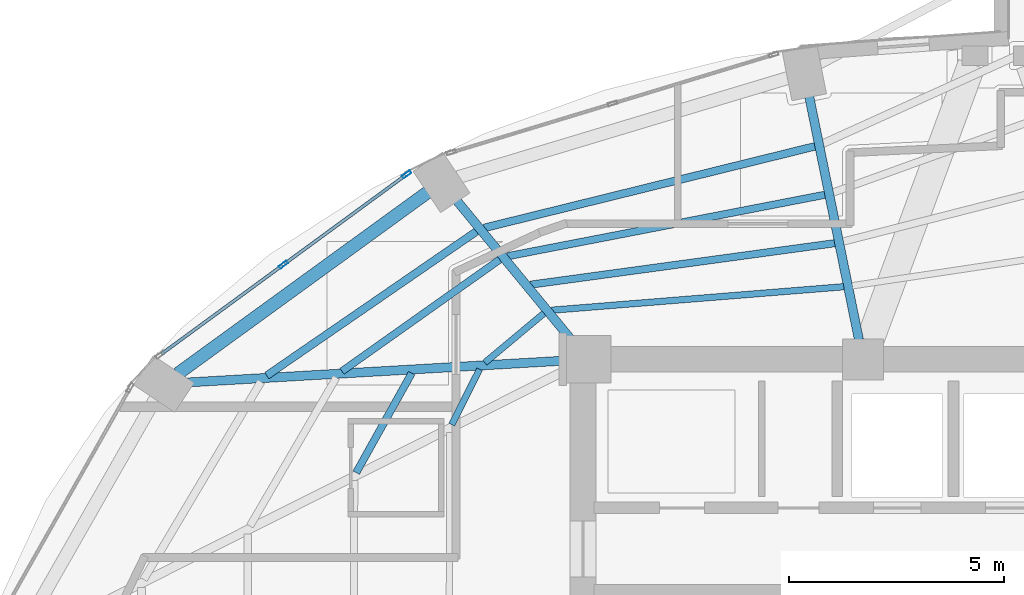
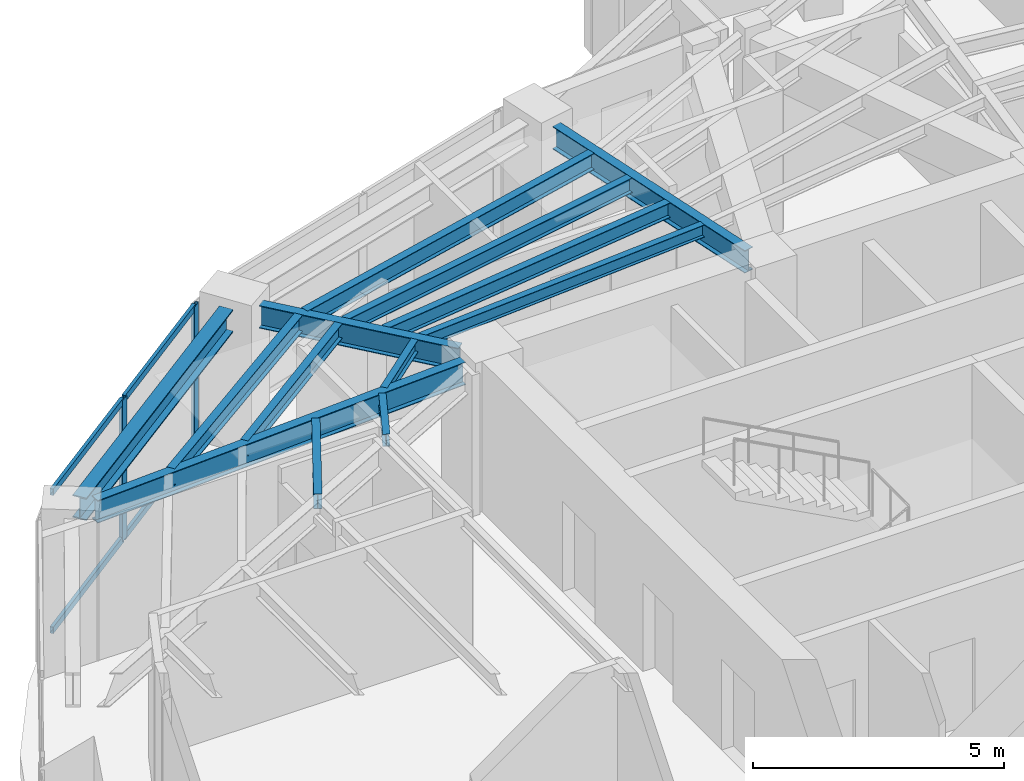
# One storey, part 7 of 20: 13 beams, 6 members, 1 element without a shape of its own.
"""IFC4 building model written with IfcOpenShell, lengths in metres."""

from ifc_helpers import new_model, si_unit, direction, frame, origin, origin_2d, place, context, subcontext, project, spatial, hollow_rectangle, i_section, extrude, material, layer, layer_set, material_profile, profile_set, type_object, element, aggregate, save


model = new_model("IFC4")

# Units and contexts
model_context = context("Model", 3, precision=1e-05, world=origin(), true_north=direction((0.0, 1.0)))
body_context = subcontext(model_context, "Body", "Model", "MODEL_VIEW")
ifc_project = project(units=[si_unit("LENGTHUNIT", "METRE"), si_unit("AREAUNIT", "SQUARE_METRE"), si_unit("VOLUMEUNIT", "CUBIC_METRE"), si_unit("PLANEANGLEUNIT", "RADIAN"), si_unit("MASSUNIT", "GRAM", prefix="KILO")], contexts=[model_context])

# Site, building, storey
site_placement = place(None, origin())
site = spatial("IfcSite", under=ifc_project, at=site_placement, CompositionType="ELEMENT")
building_placement = place(site_placement, origin())
building = spatial("IfcBuilding", under=site, at=building_placement, Name="Lazwardi Medical Tower", CompositionType="ELEMENT")
storey_placement = place(building_placement, frame((0.0, 0.0, 138.2880859375)))
storey = spatial("IfcBuildingStorey", under=building, at=storey_placement, Name="L35", CompositionType="ELEMENT", Elevation=138.2880859375)

# Beams
ifc_material_1 = material(Name="Steel S355", Category="steel")
ifc_material_profile_1 = material_profile(ifc_material_1, i_section(OverallWidth=0.300048828125, OverallDepth=0.550048828125, WebThickness=0.014892578125, FlangeThickness=0.029052734375, at=origin_2d()), Name="HEB 550")
ifc_profile_set_1 = profile_set([ifc_material_profile_1], Name="Steel S355")
beam_type_1 = type_object("IfcBeamType", Name="BM-RB-Z3", PredefinedType="BEAM", material=ifc_profile_set_1)
beam_1_placement = place(storey_placement, frame((22.689697265625, 39.479248046875, 3.15283203125), z_axis=(-0.809127570774, -0.587633026824, 0.0), x_axis=(0.587633026824, -0.809127570774, 0.0)))
element("IfcBeam", 1, at=beam_1_placement, inside=storey, type_object=beam_type_1, Name="Ring beam RB-04 B10 L35", PredefinedType="BEAM", context=body_context, shape_type="SweptSolid", body=[
    extrude(i_section(OverallWidth=0.300048828125, OverallDepth=0.550048828125, WebThickness=0.014892578125, FlangeThickness=0.029052734375, at=origin_2d()), origin(), (0.0, 0.0, 1.0), 7.170166015625),
])
ifc_material_profile_2 = material_profile(ifc_material_1, i_section(OverallWidth=0.2099609375, OverallDepth=0.550048828125, WebThickness=0.010986328125, FlangeThickness=0.01708984375, at=origin_2d()), Name="IPE 550")
ifc_profile_set_2 = profile_set([ifc_material_profile_2], Name="Steel S355")
beam_type_2 = type_object("IfcBeamType", Name="BM-RG-W2", PredefinedType="BEAM", material=ifc_profile_set_2)
beam_2_placement = place(storey_placement, frame((31.552001953125, 41.7001953125, 3.15283203125), z_axis=(0.200429485343, -0.979708130723, 0.0), x_axis=(0.979708130723, 0.200429485343, 0.0)))
element("IfcBeam", 2, at=beam_2_placement, inside=storey, type_object=beam_type_2, Name="Radial girder RG-03 R09 L35", PredefinedType="BEAM", context=body_context, shape_type="SweptSolid", body=[
    extrude(i_section(OverallWidth=0.2099609375, OverallDepth=0.550048828125, WebThickness=0.010986328125, FlangeThickness=0.01708984375, at=origin_2d()), origin(), (0.0, 0.0, 1.0), 5.766357421875),
])
beam_3_placement = place(storey_placement, frame((23.369384765625, 39.28173828125, 3.15283203125), z_axis=(0.635555639966, -0.772055068312, 0.0), x_axis=(0.772055068312, 0.635555639966, 0.0)))
element("IfcBeam", 3, at=beam_3_placement, inside=storey, type_object=beam_type_2, Name="Radial girder RG-03 R10 L35", PredefinedType="BEAM", context=body_context, shape_type="SweptSolid", body=[
    extrude(i_section(OverallWidth=0.2099609375, OverallDepth=0.550048828125, WebThickness=0.010986328125, FlangeThickness=0.01708984375, at=origin_2d()), origin(), (0.0, 0.0, 1.0), 4.233642578125),
])
beam_4_placement = place(storey_placement, frame((17.12353515625, 35.063232421875, 3.15283203125), z_axis=(0.998330154646, 0.057765927014, 0.0), x_axis=(-0.057765927014, 0.998330154646, 0.0)))
element("IfcBeam", 4, at=beam_4_placement, inside=storey, type_object=beam_type_2, Name="Radial girder RG-03 R11 L35", PredefinedType="BEAM", context=body_context, shape_type="SweptSolid", body=[
    extrude(i_section(OverallWidth=0.2099609375, OverallDepth=0.550048828125, WebThickness=0.010986328125, FlangeThickness=0.01708984375, at=origin_2d()), origin(), (0.0, 0.0, 1.0), 8.757080078125),
])
ifc_material_profile_3 = material_profile(ifc_material_1, i_section(OverallWidth=0.179931640625, OverallDepth=0.39990234375, WebThickness=0.008544921875, FlangeThickness=0.013427734375, at=origin_2d()), Name="IPE 400")
ifc_profile_set_3 = profile_set([ifc_material_profile_3], Name="Steel S355")
beam_type_3 = type_object("IfcBeamType", Name="BM-SJ-01", PredefinedType="JOIST", material=ifc_profile_set_3)
beam_5_placement = place(storey_placement, frame((31.68603515625, 40.54638671875, 3.22802734375), z_axis=(-0.970912648168, -0.239433977597, 0.0), x_axis=(0.239433977597, -0.970912648168, 0.0)))
element("IfcBeam", 5, at=beam_5_placement, inside=storey, type_object=beam_type_3, Name="Secondary joist SJ-01 R1 B09 L35", PredefinedType="JOIST", context=body_context, shape_type="SweptSolid", body=[
    extrude(i_section(OverallWidth=0.179931640625, OverallDepth=0.39990234375, WebThickness=0.008544921875, FlangeThickness=0.013427734375, at=origin_2d()), origin(), (0.0, 0.0, 1.0), 7.91162109375),
])
beam_6_placement = place(storey_placement, frame((23.8251953125, 38.5712890625, 3.22802734375), z_axis=(-0.823932256005, -0.566688307198, 0.0), x_axis=(0.566688307198, -0.823932256005, 0.0)))
element("IfcBeam", 6, at=beam_6_placement, inside=storey, type_object=beam_type_3, Name="Secondary joist SJ-01 R1 B10 L35", PredefinedType="JOIST", context=body_context, shape_type="SweptSolid", body=[
    extrude(i_section(OverallWidth=0.179931640625, OverallDepth=0.39990234375, WebThickness=0.008544921875, FlangeThickness=0.013427734375, at=origin_2d()), origin(), (0.0, 0.0, 1.0), 5.91162109375),
])
ifc_material_profile_4 = material_profile(ifc_material_1, i_section(OverallWidth=0.169921875, OverallDepth=0.360107421875, WebThickness=0.008056640625, FlangeThickness=0.0126953125, at=origin_2d()), Name="IPE 360")
ifc_profile_set_4 = profile_set([ifc_material_profile_4], Name="Steel S355")
beam_type_4 = type_object("IfcBeamType", Name="BM-SJ-02", PredefinedType="JOIST", material=ifc_profile_set_4)
beam_7_placement = place(storey_placement, frame((31.916015625, 39.42138671875, 3.247802734375), z_axis=(-0.981753035865, -0.190160396953, 0.0), x_axis=(0.190160396953, -0.981753035865, 0.0)))
element("IfcBeam", 7, at=beam_7_placement, inside=storey, type_object=beam_type_4, Name="Secondary joist SJ-02 R2 B09 L35", PredefinedType="JOIST", context=body_context, shape_type="SweptSolid", body=[
    extrude(i_section(OverallWidth=0.169921875, OverallDepth=0.360107421875, WebThickness=0.008056640625, FlangeThickness=0.0126953125, at=origin_2d()), origin(), (0.0, 0.0, 1.0), 7.50927734375),
])
beam_8_placement = place(storey_placement, frame((24.364013671875, 37.91650390625, 3.247802734375), z_axis=(-0.816108950798, -0.577898070967, 0.0), x_axis=(0.577898070967, -0.816108950798, 0.0)))
element("IfcBeam", 8, at=beam_8_placement, inside=storey, type_object=beam_type_4, Name="Secondary joist SJ-02 R2 B10 L35", PredefinedType="JOIST", context=body_context, shape_type="SweptSolid", body=[
    extrude(i_section(OverallWidth=0.169921875, OverallDepth=0.360107421875, WebThickness=0.008056640625, FlangeThickness=0.0126953125, at=origin_2d()), origin(), (0.0, 0.0, 1.0), 4.487060546875),
])
beam_9_placement = place(storey_placement, frame((32.146484375, 38.297119140625, 3.247802734375), z_axis=(-0.990832043476, -0.135099450852, 0.0), x_axis=(0.135099450852, -0.990832043476, 0.0)))
element("IfcBeam", 9, at=beam_9_placement, inside=storey, type_object=beam_type_4, Name="Secondary joist SJ-02 R3 B09 L35", PredefinedType="JOIST", context=body_context, shape_type="SweptSolid", body=[
    extrude(i_section(OverallWidth=0.169921875, OverallDepth=0.360107421875, WebThickness=0.008056640625, FlangeThickness=0.0126953125, at=origin_2d()), origin(), (0.0, 0.0, 1.0), 7.129150390625),
])
beam_10_placement = place(storey_placement, frame((22.3203125, 35.279296875, 3.247802734375), z_axis=(-0.487099444348, -0.87334651274, 0.0), x_axis=(0.87334651274, -0.487099444348, 0.0)))
element("IfcBeam", 10, at=beam_10_placement, inside=storey, type_object=beam_type_4, Name="Secondary joist SJ-02 R3 B11 L35", PredefinedType="JOIST", context=body_context, shape_type="SweptSolid", body=[
    extrude(i_section(OverallWidth=0.169921875, OverallDepth=0.360107421875, WebThickness=0.008056640625, FlangeThickness=0.0126953125, at=origin_2d()), origin(), (0.0, 0.0, 1.0), 2.64599609375),
])
ifc_material_profile_5 = material_profile(ifc_material_1, i_section(OverallWidth=0.14990234375, OverallDepth=0.300048828125, WebThickness=0.007080078125, FlangeThickness=0.0107421875, at=origin_2d()), Name="IPE 300")
ifc_profile_set_5 = profile_set([ifc_material_profile_5], Name="Steel S355")
beam_type_5 = type_object("IfcBeamType", Name="BM-SJ-03", PredefinedType="JOIST", material=ifc_profile_set_5)
beam_11_placement = place(storey_placement, frame((32.353759765625, 37.28564453125, 3.27783203125), z_axis=(-0.996785792338, -0.08011294647, 0.0), x_axis=(0.08011294647, -0.996785792338, 0.0)))
element("IfcBeam", 11, at=beam_11_placement, inside=storey, type_object=beam_type_5, Name="Secondary joist SJ-03 R4 B09 L35", PredefinedType="JOIST", context=body_context, shape_type="SweptSolid", body=[
    extrude(i_section(OverallWidth=0.14990234375, OverallDepth=0.300048828125, WebThickness=0.007080078125, FlangeThickness=0.0107421875, at=origin_2d()), origin(), (0.0, 0.0, 1.0), 6.80810546875),
])
beam_12_placement = place(storey_placement, frame((25.391357421875, 36.668212890625, 3.27783203125), z_axis=(-0.767437193893, -0.641124132621, 0.0), x_axis=(0.641124132621, -0.767437193893, 0.0)))
element("IfcBeam", 12, at=beam_12_placement, inside=storey, type_object=beam_type_5, Name="Secondary joist SJ-03 R4 B10 L35", PredefinedType="JOIST", context=body_context, shape_type="SweptSolid", body=[
    extrude(i_section(OverallWidth=0.14990234375, OverallDepth=0.300048828125, WebThickness=0.007080078125, FlangeThickness=0.0107421875, at=origin_2d()), origin(), (0.0, 0.0, 1.0), 1.787841796875),
])
beam_13_placement = place(storey_placement, frame((23.8974609375, 35.368408203125, 3.27783203125), z_axis=(-0.450406075332, -0.892823816497, 0.0), x_axis=(0.892823816497, -0.450406075332, 0.0)))
element("IfcBeam", 13, at=beam_13_placement, inside=storey, type_object=beam_type_5, Name="Secondary joist SJ-03 R4 B11 L35", PredefinedType="JOIST", context=body_context, shape_type="SweptSolid", body=[
    extrude(i_section(OverallWidth=0.14990234375, OverallDepth=0.300048828125, WebThickness=0.007080078125, FlangeThickness=0.0107421875, at=origin_2d()), origin(), (0.0, 0.0, 1.0), 1.4365234375),
])

# Curtain wall, members
ifc_material_2 = material(Name="Anodised bronze aluminium and solar control glazing", Category="aluminium")
ifc_layer = layer(ifc_material_2, 0.195068359375)
ifc_layer_set = layer_set([ifc_layer], Name="Anodised bronze aluminium and solar control glazing")
curtain_wall_type = type_object("IfcCurtainWallType", Name="CW-SYS-03", PredefinedType="NOTDEFINED", material=ifc_layer_set)
curtain_wall_placement = place(storey_placement, origin())
curtain_wall = element("IfcCurtainWall", 14, at=curtain_wall_placement, inside=storey, type_object=curtain_wall_type, Name="L35 Unitised bronze curtain wall CW-03", PredefinedType="NOTDEFINED")
ifc_material_3 = material(Name="Anodised bronze aluminium", Category="aluminium")
ifc_material_profile_6 = material_profile(ifc_material_3, hollow_rectangle(XDim=0.074951171875, YDim=0.219970703125, WallThickness=0.00390625, at=origin_2d()), Name="ALU-MULLION 220x75x4")
ifc_profile_set_6 = profile_set([ifc_material_profile_6], Name="Anodised bronze aluminium")
member_type_1 = type_object("IfcMemberType", Name="CW-MUL-01", PredefinedType="MULLION", material=ifc_profile_set_6)
member_1_placement = place(storey_placement, frame((22.204345703125, 39.894775390625, 0.0), z_axis=(0.0, 0.0, 1.0), x_axis=(0.590833862635, -0.806793249082, 0.0)))
member_1 = element("IfcMember", 15, at=member_1_placement, type_object=member_type_1, Name="CW-03 mullion 1", PredefinedType="MULLION", context=body_context, shape_type="SweptSolid", body=[
    extrude(hollow_rectangle(XDim=0.074951171875, YDim=0.219970703125, WallThickness=0.00390625, at=origin_2d()), origin(), (0.0, 0.0, 1.0), 3.427978515625),
])
member_2_placement = place(storey_placement, frame((19.34228515625, 37.798828125, 0.0), z_axis=(0.0, 0.0, 1.0), x_axis=(0.590833862635, -0.806793249082, 0.0)))
member_2 = element("IfcMember", 16, at=member_2_placement, type_object=member_type_1, Name="CW-03 mullion 2", PredefinedType="MULLION", context=body_context, shape_type="SweptSolid", body=[
    extrude(hollow_rectangle(XDim=0.074951171875, YDim=0.219970703125, WallThickness=0.00390625, at=origin_2d()), origin(), (0.0, 0.0, 1.0), 3.427978515625),
])
ifc_material_profile_7 = material_profile(ifc_material_3, hollow_rectangle(XDim=0.074951171875, YDim=0.159912109375, WallThickness=0.00390625, at=origin_2d()), Name="ALU-TRANSOM 160x75x4")
ifc_profile_set_7 = profile_set([ifc_material_profile_7], Name="Anodised bronze aluminium")
member_type_2 = type_object("IfcMemberType", Name="CW-TRN-01", PredefinedType="USERDEFINED", material=ifc_profile_set_7)
member_3_placement = place(storey_placement, frame((22.174072265625, 39.872802734375, 0.037353515625), z_axis=(-0.806773646358, -0.590860629542, 0.0), x_axis=(0.590860629542, -0.806773646358, 0.0)))
member_3 = element("IfcMember", 17, at=member_3_placement, type_object=member_type_2, Name="CW-03 transom 1.1", ObjectType="TRANSOM", PredefinedType="USERDEFINED", context=body_context, shape_type="SweptSolid", body=[
    extrude(hollow_rectangle(XDim=0.074951171875, YDim=0.159912109375, WallThickness=0.00390625, at=origin_2d()), origin(), (0.0, 0.0, 1.0), 3.472412109375),
])
member_4_placement = place(storey_placement, frame((22.174072265625, 39.872802734375, 3.390380859375), z_axis=(-0.806773646358, -0.590860629542, 0.0), x_axis=(0.590860629542, -0.806773646358, 0.0)))
member_4 = element("IfcMember", 18, at=member_4_placement, type_object=member_type_2, Name="CW-03 transom 1.2", ObjectType="TRANSOM", PredefinedType="USERDEFINED", context=body_context, shape_type="SweptSolid", body=[
    extrude(hollow_rectangle(XDim=0.074951171875, YDim=0.159912109375, WallThickness=0.00390625, at=origin_2d()), origin(), (0.0, 0.0, 1.0), 3.472412109375),
])
member_5_placement = place(storey_placement, frame((19.31201171875, 37.77685546875, 0.037353515625), z_axis=(-0.806773646358, -0.590860629542, 0.0), x_axis=(0.590860629542, -0.806773646358, 0.0)))
member_5 = element("IfcMember", 19, at=member_5_placement, type_object=member_type_2, Name="CW-03 transom 2.1", ObjectType="TRANSOM", PredefinedType="USERDEFINED", context=body_context, shape_type="SweptSolid", body=[
    extrude(hollow_rectangle(XDim=0.074951171875, YDim=0.159912109375, WallThickness=0.00390625, at=origin_2d()), origin(), (0.0, 0.0, 1.0), 3.472412109375),
])
member_6_placement = place(storey_placement, frame((19.31201171875, 37.77685546875, 3.390380859375), z_axis=(-0.806773646358, -0.590860629542, 0.0), x_axis=(0.590860629542, -0.806773646358, 0.0)))
member_6 = element("IfcMember", 20, at=member_6_placement, type_object=member_type_2, Name="CW-03 transom 2.2", ObjectType="TRANSOM", PredefinedType="USERDEFINED", context=body_context, shape_type="SweptSolid", body=[
    extrude(hollow_rectangle(XDim=0.074951171875, YDim=0.159912109375, WallThickness=0.00390625, at=origin_2d()), origin(), (0.0, 0.0, 1.0), 3.472412109375),
])
aggregate(curtain_wall, [member_1, member_2, member_3, member_4, member_5, member_6])

save(model, "model.ifc")
